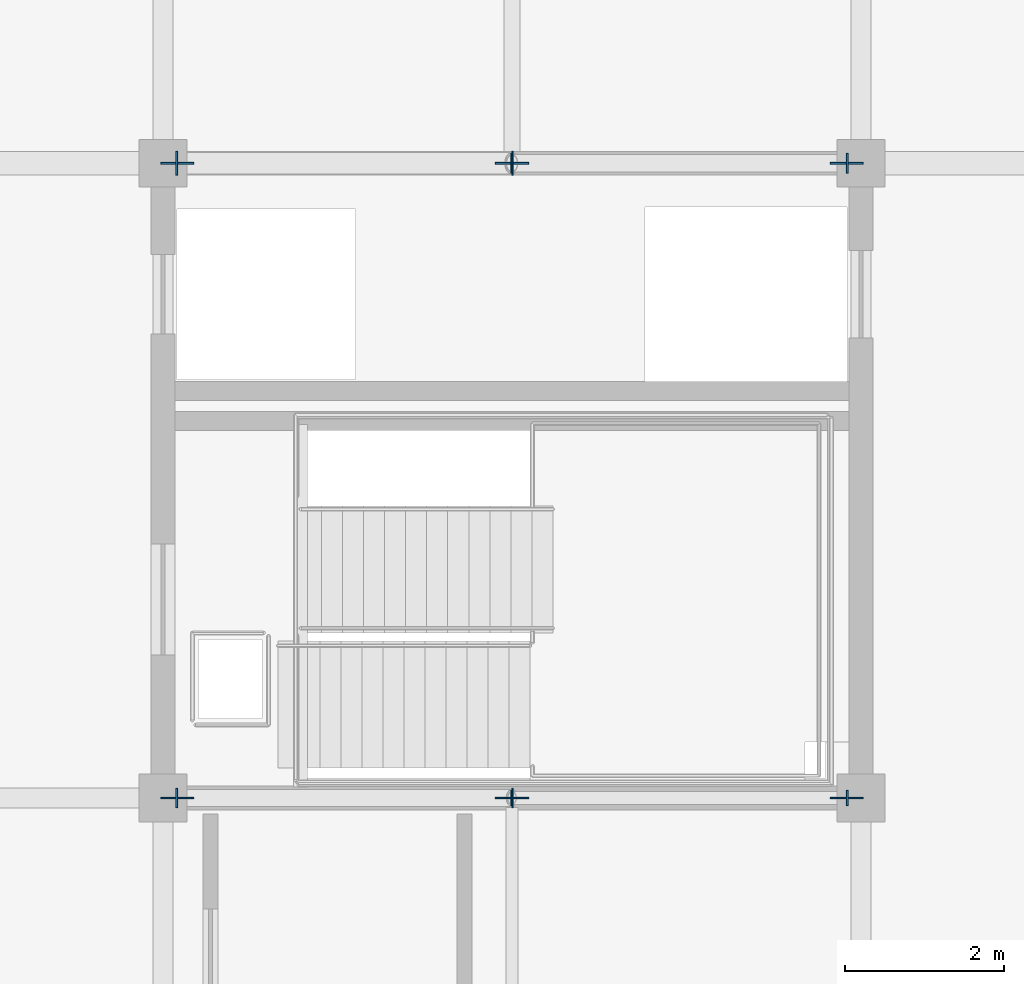
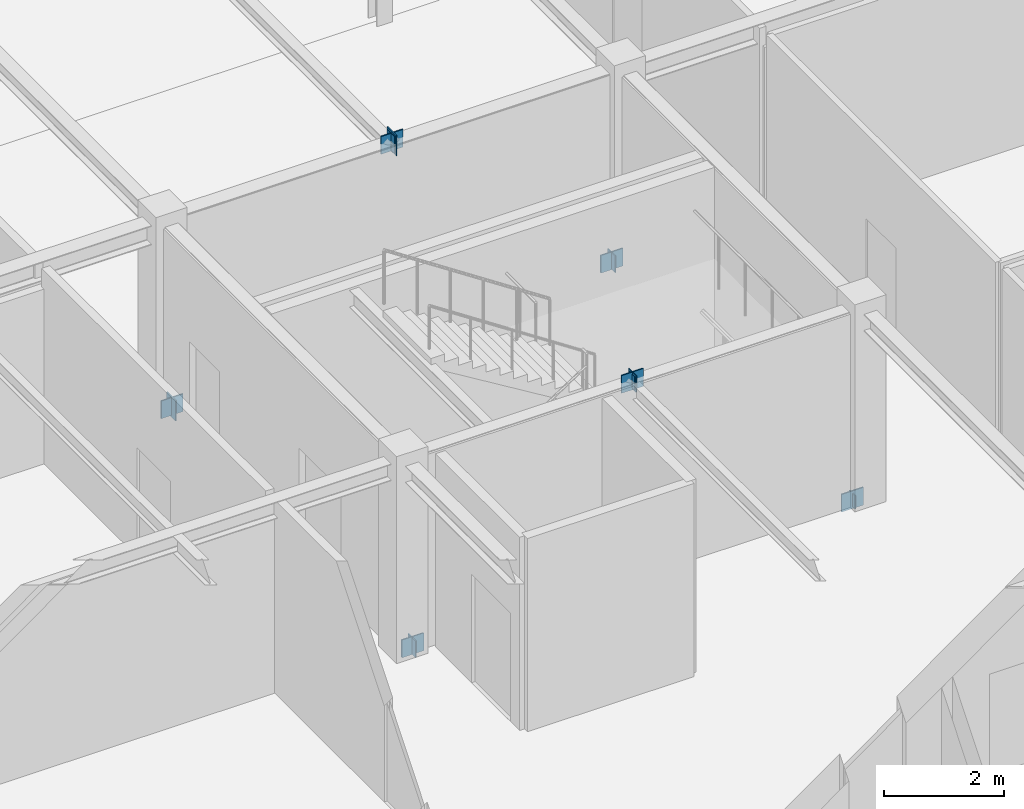
# One storey, part 37 of 64: 14 plates.
"""IFC4 building model written with IfcOpenShell, lengths in metres."""

from ifc_helpers import new_model, si_unit, direction, frame, origin, origin_2d, place, context, subcontext, project, spatial, rectangle, extrude, material, layer, layer_set, type_object, element, save


model = new_model("IFC4")

# Units and contexts
model_context = context("Model", 3, precision=1e-05, world=origin(), true_north=direction((0.0, 1.0)))
body_context = subcontext(model_context, "Body", "Model", "MODEL_VIEW")
ifc_project = project(units=[si_unit("LENGTHUNIT", "METRE"), si_unit("AREAUNIT", "SQUARE_METRE"), si_unit("VOLUMEUNIT", "CUBIC_METRE"), si_unit("PLANEANGLEUNIT", "RADIAN"), si_unit("MASSUNIT", "GRAM", prefix="KILO")], contexts=[model_context])

# Site, building, storey
site_placement = place(None, origin())
site = spatial("IfcSite", under=ifc_project, at=site_placement, CompositionType="ELEMENT")
building_placement = place(site_placement, origin())
building = spatial("IfcBuilding", under=site, at=building_placement, Name="Zhaolan Boulevard Law Courts", CompositionType="ELEMENT")
storey_placement = place(building_placement, frame((0.0, 0.0, 20.39990234375)))
storey = spatial("IfcBuildingStorey", under=building, at=storey_placement, Name="L04", CompositionType="ELEMENT", Elevation=20.39990234375)

# Plates
ifc_material_1 = material(Name="Structural steel Q355B", Category="steel")
ifc_layer_1 = layer(ifc_material_1, 0.02392578125)
ifc_layer_set_1 = layer_set([ifc_layer_1])
plate_type_1 = type_object("IfcPlateType", Name="BRACE GUSSET PLATE 24", PredefinedType="SHEET", material=ifc_layer_set_1)
for number, where, z_axis, x_axis, name in (
    (1, (17.780029296875, 70.0, -0.14990234375), (0.0, 0.0, 1.0), (1.0, 0.0, 0.0), "Brace Gusset Connection Plate GP-W2-L04-NA1"),
    (2, (26.219970703125, 70.0, -0.14990234375), (0.0, 0.0, 1.0), (1.0, 0.0, 0.0), "Brace Gusset Connection Plate GP-W2-L04-NA2"),
    (3, (22.0, 70.0, 3.740234375), (0.0, 0.0, 1.0), (1.0, 0.0, 0.0), "Brace Gusset Connection Plate GP-W2-L04-NAPX"),
    (4, (17.780029296875, 62.0, -0.14990234375), (0.0, 0.0, 1.0), (1.0, 0.0, 0.0), "Brace Gusset Connection Plate GP-W2-L04-SA1"),
    (5, (26.219970703125, 62.0, -0.14990234375), (0.0, 0.0, 1.0), (1.0, 0.0, 0.0), "Brace Gusset Connection Plate GP-W2-L04-SA2"),
    (6, (22.0, 62.0, 3.740234375), (0.0, 0.0, 1.0), (1.0, 0.0, 0.0), "Brace Gusset Connection Plate GP-W2-L04-SAPX"),
):
    element("IfcPlate", number, at=place(storey_placement, frame(where, z_axis=z_axis, x_axis=x_axis)), inside=storey, type_object=plate_type_1, Name=name, PredefinedType="SHEET", context=body_context, shape_type="SweptSolid", body=[
        extrude(rectangle(XDim=0.419921875, YDim=0.02392578125, at=origin_2d()), origin(), (0.0, 0.0, 1.0), 0.360107421875),
    ])
ifc_material_2 = material(Name="Structural steel Q355B", Category="steel")
ifc_layer_2 = layer(ifc_material_2, 0.02001953125)
ifc_layer_set_2 = layer_set([ifc_layer_2])
plate_type_2 = type_object("IfcPlateType", Name="END CAP PLATE 20", PredefinedType="SHEET", material=ifc_layer_set_2)
for number, where, z_axis, x_axis, name in (
    (7, (17.774169921875, 70.0, -0.181396484375), (0.0, 0.0, 1.0), (1.0, 0.0, 0.0), "Hollow Section End-Cap Plate ECP-1175"),
    (8, (22.005859375, 70.0, 3.719482421875), (0.0, 0.0, 1.0), (1.0, 0.0, 0.0), "Hollow Section End-Cap Plate ECP-1176"),
):
    element("IfcPlate", number, at=place(storey_placement, frame(where, z_axis=z_axis, x_axis=x_axis)), inside=storey, type_object=plate_type_2, Name=name, PredefinedType="SHEET", context=body_context, shape_type="SweptSolid", body=[
        extrude(rectangle(XDim=0.02001953125, YDim=0.302978515625, at=origin_2d()), origin(), (0.0, 0.0, 1.0), 0.412109375),
    ])
for number, where, z_axis, x_axis, name in (
    (9, (26.225830078125, 70.0, -0.14501953125), (0.0, 0.0, 1.0), (-1.0, 0.0, 0.0), "Hollow Section End-Cap Plate ECP-1177"),
    (10, (21.994140625, 70.0, 3.755859375), (0.0, 0.0, 1.0), (-1.0, 0.0, 0.0), "Hollow Section End-Cap Plate ECP-1178"),
    (11, (17.774169921875, 62.0, -0.14501953125), (0.0, 0.0, 1.0), (1.0, 0.0, 0.0), "Hollow Section End-Cap Plate ECP-1179"),
    (12, (22.005859375, 62.0, 3.755859375), (0.0, 0.0, 1.0), (1.0, 0.0, 0.0), "Hollow Section End-Cap Plate ECP-1180"),
):
    element("IfcPlate", number, at=place(storey_placement, frame(where, z_axis=z_axis, x_axis=x_axis)), inside=storey, type_object=plate_type_2, Name=name, PredefinedType="SHEET", context=body_context, shape_type="SweptSolid", body=[
        extrude(rectangle(XDim=0.02001953125, YDim=0.2490234375, at=origin_2d()), origin(), (0.0, 0.0, 1.0), 0.339111328125),
    ])
for number, where, z_axis, x_axis, name in (
    (13, (26.225830078125, 62.0, -0.10986328125), (0.0, 0.0, 1.0), (-1.0, 0.0, 0.0), "Hollow Section End-Cap Plate ECP-1181"),
    (14, (21.994140625, 62.0, 3.791015625), (0.0, 0.0, 1.0), (-1.0, 0.0, 0.0), "Hollow Section End-Cap Plate ECP-1182"),
):
    element("IfcPlate", number, at=place(storey_placement, frame(where, z_axis=z_axis, x_axis=x_axis)), inside=storey, type_object=plate_type_2, Name=name, PredefinedType="SHEET", context=body_context, shape_type="SweptSolid", body=[
        extrude(rectangle(XDim=0.02001953125, YDim=0.197998046875, at=origin_2d()), origin(), (0.0, 0.0, 1.0), 0.26904296875),
    ])

save(model, "model.ifc")
